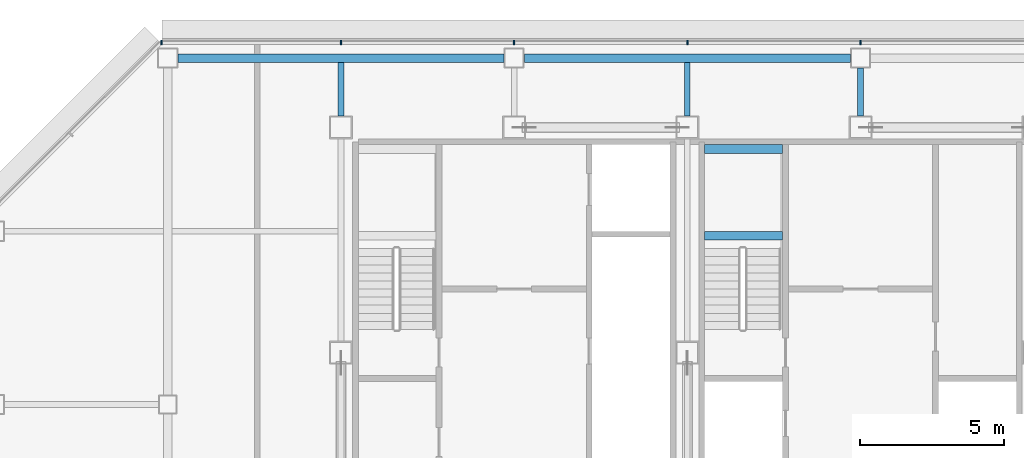
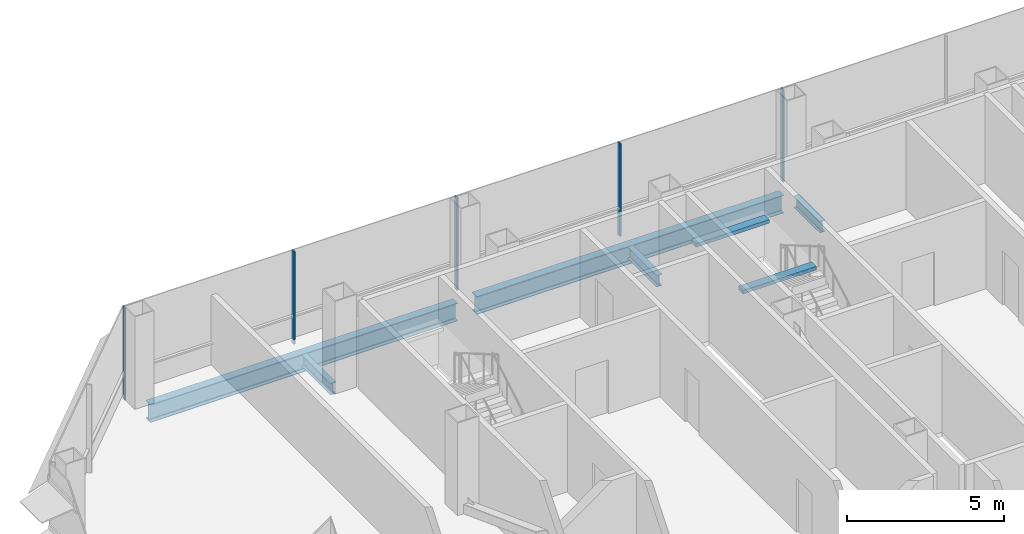
# One storey, part 12 of 24: 7 beams, 5 members, 1 element without a shape of its own.
"""IFC4 building model written with IfcOpenShell, lengths in metres."""

from ifc_helpers import new_model, si_unit, direction, frame, origin, origin_2d, place, context, subcontext, project, spatial, rectangle, i_section, extrude, material, material_profile, profile_set, type_object, element, aggregate, save


model = new_model("IFC4")

# Units and contexts
model_context = context("Model", 3, precision=1e-05, world=origin(), true_north=direction((0.0, 1.0)))
body_context = subcontext(model_context, "Body", "Model", "MODEL_VIEW")
ifc_project = project(units=[si_unit("LENGTHUNIT", "METRE"), si_unit("AREAUNIT", "SQUARE_METRE"), si_unit("VOLUMEUNIT", "CUBIC_METRE"), si_unit("PLANEANGLEUNIT", "RADIAN"), si_unit("MASSUNIT", "GRAM", prefix="KILO")], contexts=[model_context])

# Site, building, storey
site_placement = place(None, origin())
site = spatial("IfcSite", under=ifc_project, at=site_placement, CompositionType="ELEMENT")
building_placement = place(site_placement, origin())
building = spatial("IfcBuilding", under=site, at=building_placement, Name="Sorahane Residences", CompositionType="ELEMENT")
storey_placement = place(building_placement, frame((0.0, 0.0, 170.800048828125)))
storey = spatial("IfcBuildingStorey", under=building, at=storey_placement, Name="L39", CompositionType="ELEMENT", Elevation=170.800048828125)

# Curtain wall, members
ifc_material_1 = material(Name="Dark low-e glass and black anodised aluminium", Category="aluminium")
curtain_wall_type = type_object("IfcCurtainWallType", Name="Curtain wall CW-1 Typical unitised wall", PredefinedType="NOTDEFINED", material=ifc_material_1)
curtain_wall_placement = place(storey_placement, origin())
curtain_wall = element("IfcCurtainWall", 1, at=curtain_wall_placement, inside=storey, type_object=curtain_wall_type, Name="CW-1 curtain wall L39 N1", PredefinedType="NOTDEFINED")
ifc_material_2 = material(Name="Black anodised aluminium", Category="aluminium")
ifc_material_profile_1 = material_profile(ifc_material_2, rectangle(XDim=0.159912109375, YDim=0.050048828125, at=origin_2d()), Name="Curtain wall mullion CW-1 black anodised aluminium 50x160")
ifc_profile_set_1 = profile_set([ifc_material_profile_1], Name="Black anodised aluminium")
member_type = type_object("IfcMemberType", Name="Curtain wall mullion CW-1 black anodised aluminium 50x160", PredefinedType="MULLION", material=ifc_profile_set_1)
member_1_placement = place(storey_placement, frame((24.0, 48.5400390625, -0.179931640625), z_axis=(0.0, 0.0, 1.0), x_axis=(0.0, 1.0, 0.0)))
member_1 = element("IfcMember", 2, at=member_1_placement, type_object=member_type, Name="CW-1 mullion L39 N1.6", PredefinedType="MULLION", context=body_context, shape_type="SweptSolid", body=[
    extrude(rectangle(XDim=0.159912109375, YDim=0.050048828125, at=origin_2d()), origin(), (0.0, 0.0, 1.0), 3.599853515625),
])
member_2_placement = place(storey_placement, frame((18.0, 48.5400390625, -0.179931640625), z_axis=(0.0, 0.0, 1.0), x_axis=(0.0, 1.0, 0.0)))
member_2 = element("IfcMember", 3, at=member_2_placement, type_object=member_type, Name="CW-1 mullion L39 N1.7", PredefinedType="MULLION", context=body_context, shape_type="SweptSolid", body=[
    extrude(rectangle(XDim=0.159912109375, YDim=0.050048828125, at=origin_2d()), origin(), (0.0, 0.0, 1.0), 3.599853515625),
])
member_3_placement = place(storey_placement, frame((12.0, 48.5400390625, -0.179931640625), z_axis=(0.0, 0.0, 1.0), x_axis=(0.0, 1.0, 0.0)))
member_3 = element("IfcMember", 4, at=member_3_placement, type_object=member_type, Name="CW-1 mullion L39 N1.8", PredefinedType="MULLION", context=body_context, shape_type="SweptSolid", body=[
    extrude(rectangle(XDim=0.159912109375, YDim=0.050048828125, at=origin_2d()), origin(), (0.0, 0.0, 1.0), 3.599853515625),
])
member_4_placement = place(storey_placement, frame((6.0, 48.5400390625, -0.179931640625), z_axis=(0.0, 0.0, 1.0), x_axis=(0.0, 1.0, 0.0)))
member_4 = element("IfcMember", 5, at=member_4_placement, type_object=member_type, Name="CW-1 mullion L39 N1.9", PredefinedType="MULLION", context=body_context, shape_type="SweptSolid", body=[
    extrude(rectangle(XDim=0.159912109375, YDim=0.050048828125, at=origin_2d()), origin(), (0.0, 0.0, 1.0), 3.599853515625),
])
member_5_placement = place(storey_placement, frame((-0.2236328125, 48.5400390625, -0.179931640625), z_axis=(0.0, 0.0, 1.0), x_axis=(0.0, 1.0, 0.0)))
member_5 = element("IfcMember", 6, at=member_5_placement, type_object=member_type, Name="CW-1 mullion L39 N1.10", PredefinedType="MULLION", context=body_context, shape_type="SweptSolid", body=[
    extrude(rectangle(XDim=0.159912109375, YDim=0.050048828125, at=origin_2d()), origin(), (0.0, 0.0, 1.0), 3.599853515625),
])
aggregate(curtain_wall, [member_1, member_2, member_3, member_4, member_5])

# Beams
ifc_material_3 = material(Name="Concrete C40", Category="concrete")
ifc_material_profile_2 = material_profile(ifc_material_3, rectangle(XDim=0.300048828125, YDim=0.139892578125, at=origin_2d()), Name="300x140")
ifc_profile_set_2 = profile_set([ifc_material_profile_2], Name="Concrete C40")
beam_type_1 = type_object("IfcBeamType", Name="RC landing beam 300 x 140 Concrete C40", PredefinedType="BEAM", material=ifc_profile_set_2)
for number, where, z_axis, x_axis, name in (
    (7, (18.60009765625, 41.85009765625, 1.530029296875), (1.0, 0.0, 0.0), (0.0, 1.0, 0.0), "Landing beam"),
    (8, (18.60009765625, 44.85009765625, 1.530029296875), (1.0, 0.0, 0.0), (0.0, 1.0, 0.0), "Landing beam"),
):
    element("IfcBeam", number, at=place(storey_placement, frame(where, z_axis=z_axis, x_axis=x_axis)), inside=storey, type_object=beam_type_1, Name=name, PredefinedType="BEAM", context=body_context, shape_type="SweptSolid", body=[
        extrude(rectangle(XDim=0.300048828125, YDim=0.139892578125, at=origin_2d()), origin(), (0.0, 0.0, 1.0), 2.699951171875),
    ])
ifc_material_4 = material(Name="Steel Q355B", Category="steel")
ifc_material_profile_3 = material_profile(ifc_material_4, i_section(OverallWidth=0.199951171875, OverallDepth=0.449951171875, WebThickness=0.009033203125, FlangeThickness=0.013916015625, FilletRadius=0.02001953125, at=origin_2d()), Name="HN 450x200x9x14")
ifc_profile_set_3 = profile_set([ifc_material_profile_3], Name="Steel Q355B")
beam_type_2 = type_object("IfcBeamType", Name="Steel floor beam HN 450x200x9x14 Q355B", PredefinedType="BEAM", material=ifc_profile_set_3)
for number, where, z_axis, x_axis, name in (
    (9, (6.0, 46.0, -0.405029296875), (0.0, 1.0, 0.0), (-1.0, 0.0, 0.0), "Beam L39 033"),
    (10, (18.0, 46.0, -0.405029296875), (0.0, 1.0, 0.0), (-1.0, 0.0, 0.0), "Beam L39 041"),
):
    element("IfcBeam", number, at=place(storey_placement, frame(where, z_axis=z_axis, x_axis=x_axis)), inside=storey, type_object=beam_type_2, Name=name, PredefinedType="BEAM", context=body_context, shape_type="SweptSolid", body=[
        extrude(i_section(OverallWidth=0.199951171875, OverallDepth=0.449951171875, WebThickness=0.009033203125, FlangeThickness=0.013916015625, FilletRadius=0.02001953125, at=origin_2d()), origin(), (0.0, 0.0, 1.0), 1.85009765625),
    ])
beam_placement = place(storey_placement, frame((24.0, 46.0, -0.405029296875), z_axis=(0.0, 1.0, 0.0), x_axis=(-1.0, 0.0, 0.0)))
element("IfcBeam", 11, at=beam_placement, inside=storey, type_object=beam_type_2, Name="Beam L39 043", PredefinedType="BEAM", context=body_context, shape_type="SweptSolid", body=[
    extrude(i_section(OverallWidth=0.199951171875, OverallDepth=0.449951171875, WebThickness=0.009033203125, FlangeThickness=0.013916015625, FilletRadius=0.02001953125, at=origin_2d()), origin(), (0.0, 0.0, 1.0), 1.64990234375),
])
ifc_material_5 = material(Name="Steel Q355B", Category="steel")
ifc_material_profile_4 = material_profile(ifc_material_5, i_section(OverallWidth=0.300048828125, OverallDepth=0.699951171875, WebThickness=0.012939453125, FlangeThickness=0.02392578125, FilletRadius=0.028076171875, at=origin_2d()), Name="HN 700x300x13x24")
ifc_profile_set_4 = profile_set([ifc_material_profile_4], Name="Steel Q355B")
beam_type_3 = type_object("IfcBeamType", Name="Steel floor beam HN 700x300x13x24 Q355B", PredefinedType="BEAM", material=ifc_profile_set_4)
for number, where, z_axis, x_axis, name in (
    (12, (0.35009765625, 48.0, -0.530029296875), (1.0, 0.0, 0.0), (0.0, 1.0, 0.0), "Beam L39 015"),
    (13, (12.35009765625, 48.0, -0.530029296875), (1.0, 0.0, 0.0), (0.0, 1.0, 0.0), "Beam L39 016"),
):
    element("IfcBeam", number, at=place(storey_placement, frame(where, z_axis=z_axis, x_axis=x_axis)), inside=storey, type_object=beam_type_3, Name=name, PredefinedType="BEAM", context=body_context, shape_type="SweptSolid", body=[
        extrude(i_section(OverallWidth=0.300048828125, OverallDepth=0.699951171875, WebThickness=0.012939453125, FlangeThickness=0.02392578125, FilletRadius=0.028076171875, at=origin_2d()), origin(), (0.0, 0.0, 1.0), 11.2998046875),
    ])

save(model, "model.ifc")
